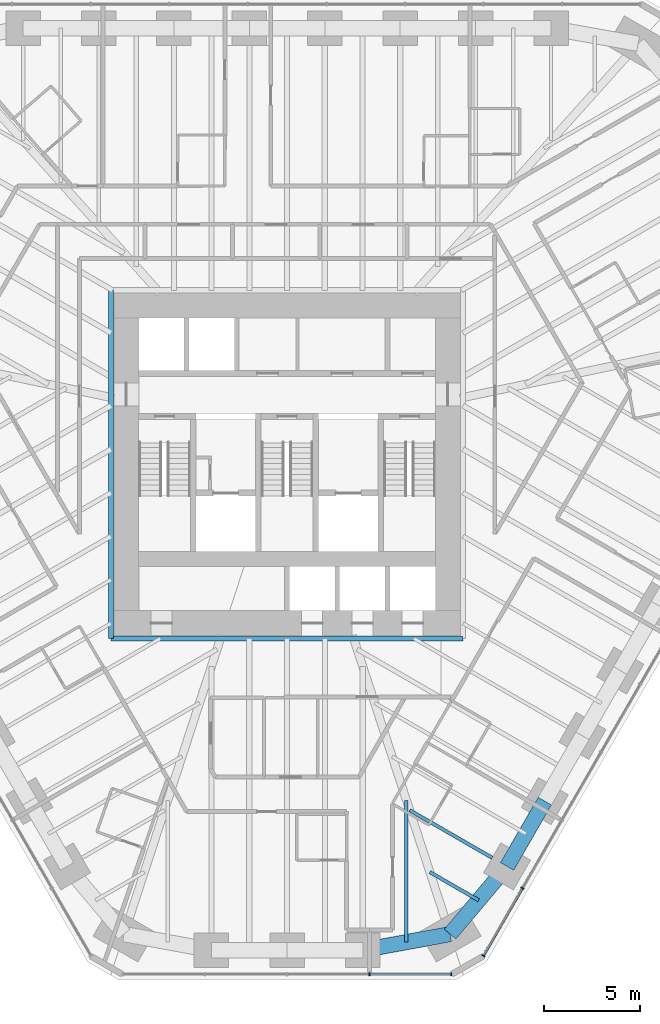
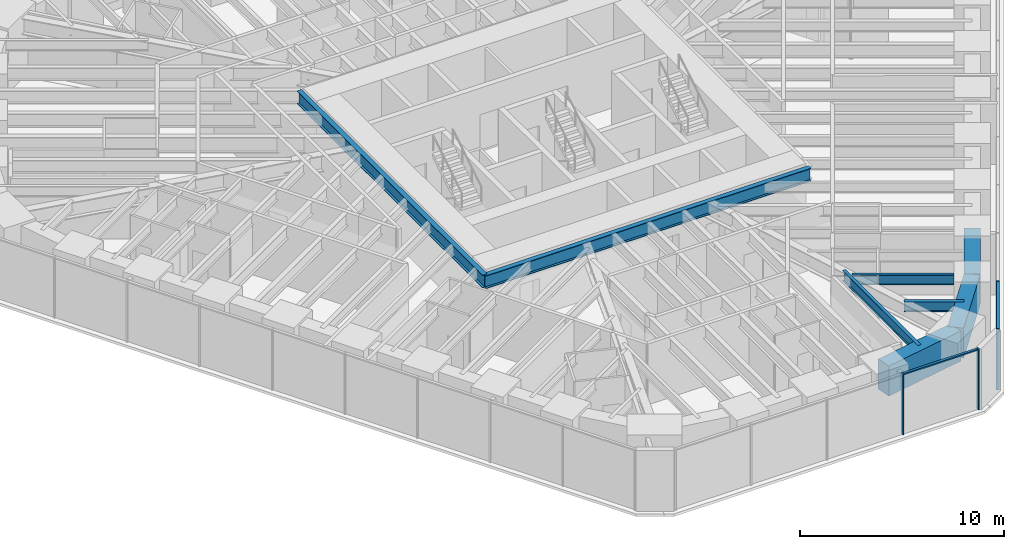
# One storey, part 4 of 17: 8 beams, 6 members, 2 elements without a shape of their own.
"""IFC4 building model written with IfcOpenShell, lengths in metres."""

import ifcopenshell
import ifcopenshell.guid

model = None  # the IFC model being written
_history = None  # IfcOwnerHistory: only IFC2X3 demands one
_inside = {}  # id of a spatial element -> (the spatial element, [elements in it])
_under = {}  # id of a project, library or spatial element -> (it, [spatial elements below it])
_declared = {}  # id of a project -> (the project, [libraries it declares])
_typed = {}  # id of a type object -> (the type object, [elements of that type])
_made_of = {}  # id of a material, layer set ... -> (it, [elements and type objects made of it])


def new_model(schema):
    """Start an empty IFC model of exactly this schema.

    Asked for "IFC4X3", IfcOpenShell would pick the latest addendum, in which some entities
    have other attributes; the version numbers below select the first issue.
    IFC2X3 requires an IfcOwnerHistory on every rooted entity: one is made here for all.
    """
    global model, _history
    if schema == "IFC4X3":
        model = ifcopenshell.file(schema_version=(4, 3, 0, 0))
    else:
        model = ifcopenshell.file(schema=schema)
    _inside.clear()
    _under.clear()
    _declared.clear()
    _typed.clear()
    _made_of.clear()
    _history = None
    if model.schema == "IFC2X3":
        org = make("IfcOrganization", Name="unknown")
        user = make(
            "IfcPersonAndOrganization",
            ThePerson=make("IfcPerson", FamilyName="unknown"),
            TheOrganization=org,
        )
        app = make(
            "IfcApplication",
            ApplicationDeveloper=org,
            Version="unknown",
            ApplicationFullName="unknown",
            ApplicationIdentifier="unknown",
        )
        _history = make(
            "IfcOwnerHistory",
            OwningUser=user,
            OwningApplication=app,
            ChangeAction="ADDED",
            CreationDate=0,
        )
    return model


def make(cls, **values):
    """One entity of the class cls with the attributes given. An attribute that is None is left unset."""
    return model.create_entity(
        cls, **{name: value for name, value in values.items() if value is not None}
    )


def rooted(cls, **values):
    """An entity with a GlobalId (a new one), such as an element, a storey or a relation."""
    return make(cls, GlobalId=ifcopenshell.guid.new(), OwnerHistory=_history, **values)


def si_unit(unit_type, name, prefix=None):
    """IfcSIUnit, for example si_unit("LENGTHUNIT", "METRE", prefix="MILLI")."""
    return make("IfcSIUnit", UnitType=unit_type, Prefix=prefix, Name=name)


def assignment(units):
    """IfcUnitAssignment: the units of a project."""
    return None if units is None else make("IfcUnitAssignment", Units=units)


def point(xyz):
    """IfcCartesianPoint."""
    return None if xyz is None else make("IfcCartesianPoint", Coordinates=xyz)


def direction(xyz):
    """IfcDirection."""
    return None if xyz is None else make("IfcDirection", DirectionRatios=xyz)


def frame(location, z_axis=None, x_axis=None):
    """IfcAxis2Placement3D, a coordinate frame: its origin and axes. An axis left out is left unset."""
    return make(
        "IfcAxis2Placement3D",
        Location=point(location),
        Axis=direction(z_axis),
        RefDirection=direction(x_axis),
    )


def frame_2d(location, x_axis=None):
    """IfcAxis2Placement2D, a coordinate frame in the plane: its origin and x axis."""
    return make(
        "IfcAxis2Placement2D", Location=point(location), RefDirection=direction(x_axis)
    )


def origin():
    """The frame at (0, 0, 0) with its axes left unset."""
    return frame((0.0, 0.0, 0.0))


def origin_2d():
    """The frame at (0, 0) in the plane with its x axis left unset."""
    return frame_2d((0.0, 0.0))


def place(relative_to, where):
    """IfcLocalPlacement: puts the frame where relative to a parent placement (None: the world)."""
    return make(
        "IfcLocalPlacement", PlacementRelTo=relative_to, RelativePlacement=where
    )


def context(
    kind, dimensions, precision=None, world=None, true_north=None, identifier=None
):
    """IfcGeometricRepresentationContext, for example the 3D "Model" context."""
    return make(
        "IfcGeometricRepresentationContext",
        ContextIdentifier=identifier,
        ContextType=kind,
        CoordinateSpaceDimension=dimensions,
        Precision=precision,
        WorldCoordinateSystem=world,
        TrueNorth=true_north,
    )


def subcontext(parent, identifier, kind, view, scale=None):
    """IfcGeometricRepresentationSubContext, for example "Body" below "Model"."""
    return make(
        "IfcGeometricRepresentationSubContext",
        ContextIdentifier=identifier,
        ContextType=kind,
        ParentContext=parent,
        TargetScale=scale,
        TargetView=view,
    )


def project(units=None, contexts=None):
    """IfcProject with its units and contexts."""
    return rooted(
        "IfcProject",
        Name="project",
        RepresentationContexts=contexts,
        UnitsInContext=assignment(units),
    )


def spatial(cls, under=None, at=None, **own):
    """A site, building, storey or space (cls), placed at a placement, below another one or the project."""
    s = rooted(cls, ObjectPlacement=at, **own)
    if under is not None:
        _under.setdefault(under.id(), (under, []))[1].append(s)
    return s


def profile(cls, at=None, kind="AREA", **sizes):
    """A parametric profile (cls). Its sizes go by their IFC names, for example OverallWidth=200.0."""
    return make(cls, ProfileType=kind, Position=at, **sizes)


def rectangle(**sizes):
    """IfcRectangleProfileDef."""
    return profile("IfcRectangleProfileDef", **sizes)


def i_section(**sizes):
    """IfcIShapeProfileDef."""
    return profile("IfcIShapeProfileDef", **sizes)


def extrude(swept, where, along, depth):
    """IfcExtrudedAreaSolid: the profile swept, set in the frame where, extruded along a direction by depth."""
    return make(
        "IfcExtrudedAreaSolid",
        SweptArea=swept,
        Position=where,
        ExtrudedDirection=direction(along),
        Depth=depth,
    )


def shape(context_of_items, identifier, shape_type, items):
    """IfcShapeRepresentation: the items that make up one representation, for example the "Body"."""
    return make(
        "IfcShapeRepresentation",
        ContextOfItems=context_of_items,
        RepresentationIdentifier=identifier,
        RepresentationType=shape_type,
        Items=items,
    )


def material(Name=None, Category=None):
    """IfcMaterial."""
    return make("IfcMaterial", Name=Name, Category=Category)


def material_profile(
    of_material, cross_section, Name=None, Category=None, Priority=None
):
    """IfcMaterialProfile: a cross section and its material."""
    return make(
        "IfcMaterialProfile",
        Name=Name,
        Material=of_material,
        Profile=cross_section,
        Priority=Priority,
        Category=Category,
    )


def profile_set(profiles, Name=None, composite=None):
    """IfcMaterialProfileSet."""
    return make(
        "IfcMaterialProfileSet",
        Name=Name,
        MaterialProfiles=profiles,
        CompositeProfile=composite,
    )


def made_of(thing, what):
    """Note that an element or type object is made of a material, layer set ...; save() writes the relation."""
    if what is not None:
        _made_of.setdefault(what.id(), (what, []))[1].append(thing)
    return thing


def type_object(cls, material=None, **own):
    """A type object (cls), such as IfcWallType, which elements share."""
    return made_of(rooted(cls, **own), material)


def element(
    cls,
    number,
    at=None,
    inside=None,
    cuts=None,
    type_object=None,
    material=None,
    context=None,
    identifier="Body",
    shape_type=None,
    held_by="IfcProductDefinitionShape",
    body=None,
    shapes=None,
    **own,
):
    """One element of the class cls, such as IfcWall. Its Tag is "e" and its number.

    at: its placement. inside: the storey or other place that contains it. cuts: it is an
    opening in that element (IfcRelVoidsElement). A single representation is given by context,
    identifier, shape_type and body (its items); several are given by shapes. held_by: the class
    of the entity that holds the representations. save() writes the other relations.
    """
    e = rooted(cls, Tag="e%d" % number, ObjectPlacement=at, **own)
    if body is not None:
        shapes = [shape(context, identifier, shape_type, body)]
    if shapes is not None:
        e.Representation = make(held_by, Representations=shapes)
    if inside is not None:
        _inside.setdefault(inside.id(), (inside, []))[1].append(e)
    if cuts is not None:
        rooted(
            "IfcRelVoidsElement", RelatingBuildingElement=cuts, RelatedOpeningElement=e
        )
    if type_object is not None:
        _typed.setdefault(type_object.id(), (type_object, []))[1].append(e)
    return made_of(e, material)


def aggregate(whole, parts):
    """IfcRelAggregates: a whole, such as a stair, and the parts it consists of."""
    return rooted("IfcRelAggregates", RelatingObject=whole, RelatedObjects=parts)


def save(model, path):
    """Write the relations noted so far, then the file.

    IfcRelAggregates (storeys below a building ...), IfcRelContainedInSpatialStructure (elements
    in a storey), IfcRelDefinesByType, IfcRelAssociatesMaterial and IfcRelDeclares: one each for
    every whole, place, type object, material and project.
    """
    for whole, parts in _under.values():
        aggregate(whole, parts)
    for where, things in _inside.values():
        rooted(
            "IfcRelContainedInSpatialStructure",
            RelatedElements=things,
            RelatingStructure=where,
        )
    for kind, things in _typed.values():
        rooted("IfcRelDefinesByType", RelatedObjects=things, RelatingType=kind)
    for what, things in _made_of.values():
        rooted("IfcRelAssociatesMaterial", RelatedObjects=things, RelatingMaterial=what)
    for by, libraries in _declared.values():
        rooted("IfcRelDeclares", RelatingContext=by, RelatedDefinitions=libraries)
    model.write(path)


model = new_model("IFC4")

# Units and contexts
model_context = context("Model", 3, precision=1e-05, world=origin(), true_north=direction((0.0, 1.0)))
body_context = subcontext(model_context, "Body", "Model", "MODEL_VIEW")
ifc_project = project(units=[si_unit("LENGTHUNIT", "METRE"), si_unit("AREAUNIT", "SQUARE_METRE"), si_unit("VOLUMEUNIT", "CUBIC_METRE"), si_unit("PLANEANGLEUNIT", "RADIAN"), si_unit("MASSUNIT", "GRAM", prefix="KILO")], contexts=[model_context])

# Site, building, storey
site_placement = place(None, origin())
site = spatial("IfcSite", under=ifc_project, at=site_placement, CompositionType="ELEMENT")
building_placement = place(site_placement, origin())
building = spatial("IfcBuilding", under=site, at=building_placement, Name="Sandreach Pilgrim Tower", CompositionType="ELEMENT")
storey_placement = place(building_placement, frame((0.0, 0.0, 142.39990234375)))
storey = spatial("IfcBuildingStorey", under=building, at=storey_placement, Name="L35", CompositionType="ELEMENT", Elevation=142.39990234375)

# Curtain wall, members
ifc_material_1 = material(Name="Aluminium framed curtain wall", Category="aluminium")
curtain_wall_type = type_object("IfcCurtainWallType", Name="Hotel tower curtain wall", PredefinedType="NOTDEFINED", material=ifc_material_1)
curtain_wall_1_placement = place(storey_placement, origin())
curtain_wall_1 = element("IfcCurtainWall", 1, at=curtain_wall_1_placement, inside=storey, type_object=curtain_wall_type, Name="CW-2 L35 SE", PredefinedType="NOTDEFINED")
ifc_material_2 = material(Name="Aluminium extrusion", Category="aluminium")
ifc_material_profile_1 = material_profile(ifc_material_2, rectangle(XDim=0.06494140625, YDim=0.179931640625, at=origin_2d()), Name="CW-2M 65X180")
ifc_profile_set_1 = profile_set([ifc_material_profile_1], Name="Aluminium extrusion")
member_type_1 = type_object("IfcMemberType", Name="CW-2 mullion", PredefinedType="MULLION", material=ifc_profile_set_1)
member_1_placement = place(storey_placement, frame((12.29296875, -23.695556640625, 0.0), z_axis=(0.0, 0.0, 1.0), x_axis=(-0.5, -0.866025403784, 0.0)))
member_1 = element("IfcMember", 2, at=member_1_placement, type_object=member_type_1, Name="CW-2 mullion 9", PredefinedType="MULLION", context=body_context, shape_type="SweptSolid", body=[
    extrude(rectangle(XDim=0.06494140625, YDim=0.179931640625, at=origin_2d()), origin(), (0.0, 0.0, 1.0), 3.64013671875),
])
member_2_placement = place(storey_placement, frame((10.255859375, -27.22412109375, 0.0), z_axis=(0.0, 0.0, 1.0), x_axis=(-0.5, -0.866025403784, 0.0)))
member_2 = element("IfcMember", 3, at=member_2_placement, type_object=member_type_1, Name="CW-2 mullion 10", PredefinedType="MULLION", context=body_context, shape_type="SweptSolid", body=[
    extrude(rectangle(XDim=0.06494140625, YDim=0.179931640625, at=origin_2d()), origin(), (0.0, 0.0, 1.0), 3.64013671875),
])

curtain_wall_2_placement = place(storey_placement, origin())
curtain_wall_2 = element("IfcCurtainWall", 4, at=curtain_wall_2_placement, inside=storey, type_object=curtain_wall_type, Name="CW-2 L35 S", PredefinedType="NOTDEFINED")
member_3_placement = place(storey_placement, frame((8.578857421875, -28.192138671875, 0.0), z_axis=(0.0, 0.0, 1.0), x_axis=(-1.0, 0.0, 0.0)))
member_3 = element("IfcMember", 5, at=member_3_placement, type_object=member_type_1, Name="CW-2 mullion 1", PredefinedType="MULLION", context=body_context, shape_type="SweptSolid", body=[
    extrude(rectangle(XDim=0.06494140625, YDim=0.179931640625, at=origin_2d()), origin(), (0.0, 0.0, 1.0), 3.64013671875),
])
member_4_placement = place(storey_placement, frame((4.3056640625, -28.192138671875, 0.0), z_axis=(0.0, 0.0, 1.0), x_axis=(-1.0, 0.0, 0.0)))
member_4 = element("IfcMember", 6, at=member_4_placement, type_object=member_type_1, Name="CW-2 mullion 2", PredefinedType="MULLION", context=body_context, shape_type="SweptSolid", body=[
    extrude(rectangle(XDim=0.06494140625, YDim=0.179931640625, at=origin_2d()), origin(), (0.0, 0.0, 1.0), 3.64013671875),
])

# Member
ifc_material_3 = material(Name="Aluminium extrusion", Category="aluminium")
ifc_material_profile_2 = material_profile(ifc_material_3, rectangle(XDim=0.139892578125, YDim=0.070068359375, at=origin_2d()), Name="CW-2T 140X70")
ifc_profile_set_2 = profile_set([ifc_material_profile_2], Name="Aluminium extrusion")
member_type_2 = type_object("IfcMemberType", Name="CW-2 transom", PredefinedType="USERDEFINED", material=ifc_profile_set_2)
member_5_placement = place(storey_placement, frame((12.27685546875, -23.7236328125, 3.60498046875), z_axis=(-0.500015851672, -0.866016251624, 0.0), x_axis=(0.866016251624, -0.500015851672, 0.0)))
member_5 = element("IfcMember", 7, at=member_5_placement, type_object=member_type_2, Name="CW-2 head transom 9", ObjectType="TRANSOM", PredefinedType="USERDEFINED", context=body_context, shape_type="SweptSolid", body=[
    extrude(rectangle(XDim=0.139892578125, YDim=0.070068359375, at=origin_2d()), origin(), (0.0, 0.0, 1.0), 4.009521484375),
])

aggregate(curtain_wall_1, [member_1, member_2, member_5])

member_6_placement = place(storey_placement, frame((8.54638671875, -28.192138671875, 3.60498046875), z_axis=(-1.0, 0.0, 0.0), x_axis=(0.0, -1.0, 0.0)))
member_6 = element("IfcMember", 8, at=member_6_placement, type_object=member_type_2, Name="CW-2 head transom 1", ObjectType="TRANSOM", PredefinedType="USERDEFINED", context=body_context, shape_type="SweptSolid", body=[
    extrude(rectangle(XDim=0.139892578125, YDim=0.070068359375, at=origin_2d()), origin(), (0.0, 0.0, 1.0), 4.208251953125),
])

aggregate(curtain_wall_2, [member_3, member_4, member_6])

# Beams
ifc_material_4 = material(Name="Steel ASTM A992 Grade 50", Category="steel")
ifc_material_profile_3 = material_profile(ifc_material_4, i_section(OverallWidth=0.2666015625, OverallDepth=0.77978515625, WebThickness=0.0166015625, FlangeThickness=0.030029296875, at=origin_2d()), Name="W30X148")
ifc_profile_set_3 = profile_set([ifc_material_profile_3], Name="Steel ASTM A992 Grade 50")
beam_type_1 = type_object("IfcBeamType", Name="Core edge beam W30X148", PredefinedType="BEAM", material=ifc_profile_set_3)
beam_1_placement = place(storey_placement, frame((9.193359375, -10.643310546875, 3.250244140625), z_axis=(-1.0, 0.0, 0.0), x_axis=(0.0, -1.0, 0.0)))
element("IfcBeam", 9, at=beam_1_placement, inside=storey, type_object=beam_type_1, Name="BM L35 CES", PredefinedType="BEAM", context=body_context, shape_type="SweptSolid", body=[
    extrude(i_section(OverallWidth=0.2666015625, OverallDepth=0.77978515625, WebThickness=0.0166015625, FlangeThickness=0.030029296875, at=origin_2d()), origin(), (0.0, 0.0, 1.0), 18.38671875),
])
beam_2_placement = place(storey_placement, frame((-9.193359375, -10.643310546875, 3.250244140625), z_axis=(0.0, 1.0, 0.0), x_axis=(-1.0, 0.0, 0.0)))
element("IfcBeam", 10, at=beam_2_placement, inside=storey, type_object=beam_type_1, Name="BM L35 CEW", PredefinedType="BEAM", context=body_context, shape_type="SweptSolid", body=[
    extrude(i_section(OverallWidth=0.2666015625, OverallDepth=0.77978515625, WebThickness=0.0166015625, FlangeThickness=0.030029296875, at=origin_2d()), origin(), (0.0, 0.0, 1.0), 18.186767578125),
])
ifc_material_5 = material(Name="Steel ASTM A992 Grade 50", Category="steel")
ifc_material_profile_4 = material_profile(ifc_material_5, i_section(OverallWidth=0.1787109375, OverallDepth=0.60205078125, WebThickness=0.010986328125, FlangeThickness=0.014892578125, at=origin_2d()), Name="W24X62")
ifc_profile_set_4 = profile_set([ifc_material_profile_4], Name="Steel ASTM A992 Grade 50")
beam_type_2 = type_object("IfcBeamType", Name="Floor beam W24X62", PredefinedType="BEAM", material=ifc_profile_set_4)
beam_3_placement = place(storey_placement, frame((10.714599609375, -22.109130859375, 3.339111328125), z_axis=(-0.866024645457, 0.500001313459, 0.0), x_axis=(-0.500001313459, -0.866024645457, 0.0)))
element("IfcBeam", 11, at=beam_3_placement, inside=storey, type_object=beam_type_2, Name="BM L35 F21", PredefinedType="BEAM", context=body_context, shape_type="SweptSolid", body=[
    extrude(i_section(OverallWidth=0.1787109375, OverallDepth=0.60205078125, WebThickness=0.010986328125, FlangeThickness=0.014892578125, at=origin_2d()), origin(), (0.0, 0.0, 1.0), 4.9765625),
])
beam_4_placement = place(storey_placement, frame((10.006103515625, -24.326904296875, 3.339111328125), z_axis=(-0.866015396618, 0.500017332519, 0.0), x_axis=(-0.500017332519, -0.866015396618, 0.0)))
element("IfcBeam", 12, at=beam_4_placement, inside=storey, type_object=beam_type_2, Name="BM L35 FM21", PredefinedType="BEAM", context=body_context, shape_type="SweptSolid", body=[
    extrude(i_section(OverallWidth=0.1787109375, OverallDepth=0.60205078125, WebThickness=0.010986328125, FlangeThickness=0.014892578125, at=origin_2d()), origin(), (0.0, 0.0, 1.0), 2.9384765625),
])
beam_5_placement = place(storey_placement, frame((6.236572265625, -26.51318359375, 3.339111328125), z_axis=(0.0, 1.0, 0.0), x_axis=(-1.0, 0.0, 0.0)))
element("IfcBeam", 13, at=beam_5_placement, inside=storey, type_object=beam_type_2, Name="BM L35 FM22", PredefinedType="BEAM", context=body_context, shape_type="SweptSolid", body=[
    extrude(i_section(OverallWidth=0.1787109375, OverallDepth=0.60205078125, WebThickness=0.010986328125, FlangeThickness=0.014892578125, at=origin_2d()), origin(), (0.0, 0.0, 1.0), 7.40771484375),
])
ifc_material_6 = material(Name="Concrete 10000 psi", Category="concrete")
ifc_material_profile_5 = material_profile(ifc_material_6, rectangle(XDim=0.800048828125, YDim=1.800048828125, at=origin_2d()), Name="RC800X1800")
ifc_profile_set_5 = profile_set([ifc_material_profile_5], Name="Concrete 10000 psi")
beam_type_3 = type_object("IfcBeamType", Name="Spandrel beam RC800X1800", PredefinedType="SPANDREL", material=ifc_profile_set_5)
beam_6_placement = place(storey_placement, frame((13.464111328125, -19.147216796875, 2.739990234375), z_axis=(-0.49999779889, -0.866026674592, 0.0), x_axis=(0.866026674592, -0.49999779889, 0.0)))
element("IfcBeam", 14, at=beam_6_placement, inside=storey, type_object=beam_type_3, Name="BM L35 SP20", PredefinedType="SPANDREL", context=body_context, shape_type="SweptSolid", body=[
    extrude(rectangle(XDim=0.800048828125, YDim=1.800048828125, at=origin_2d()), origin(), (0.0, 0.0, 1.0), 3.93994140625),
])
beam_7_placement = place(storey_placement, frame((11.494140625, -22.559326171875, 2.739990234375), z_axis=(-0.644078801547, -0.764959147535, 0.0), x_axis=(0.764959147535, -0.644078801547, 0.0)))
element("IfcBeam", 15, at=beam_7_placement, inside=storey, type_object=beam_type_3, Name="BM L35 SP21", PredefinedType="SPANDREL", context=body_context, shape_type="SweptSolid", body=[
    extrude(rectangle(XDim=0.800048828125, YDim=1.800048828125, at=origin_2d()), origin(), (0.0, 0.0, 1.0), 4.62109375),
])
beam_8_placement = place(storey_placement, frame((8.517822265625, -26.09423828125, 2.739990234375), z_axis=(-0.983551746136, -0.180626583516, 0.0), x_axis=(0.180626583516, -0.983551746136, 0.0)))
element("IfcBeam", 16, at=beam_8_placement, inside=storey, type_object=beam_type_3, Name="BM L35 SP22", PredefinedType="SPANDREL", context=body_context, shape_type="SweptSolid", body=[
    extrude(rectangle(XDim=0.800048828125, YDim=1.800048828125, at=origin_2d()), origin(), (0.0, 0.0, 1.0), 4.638916015625),
])

save(model, "model.ifc")
